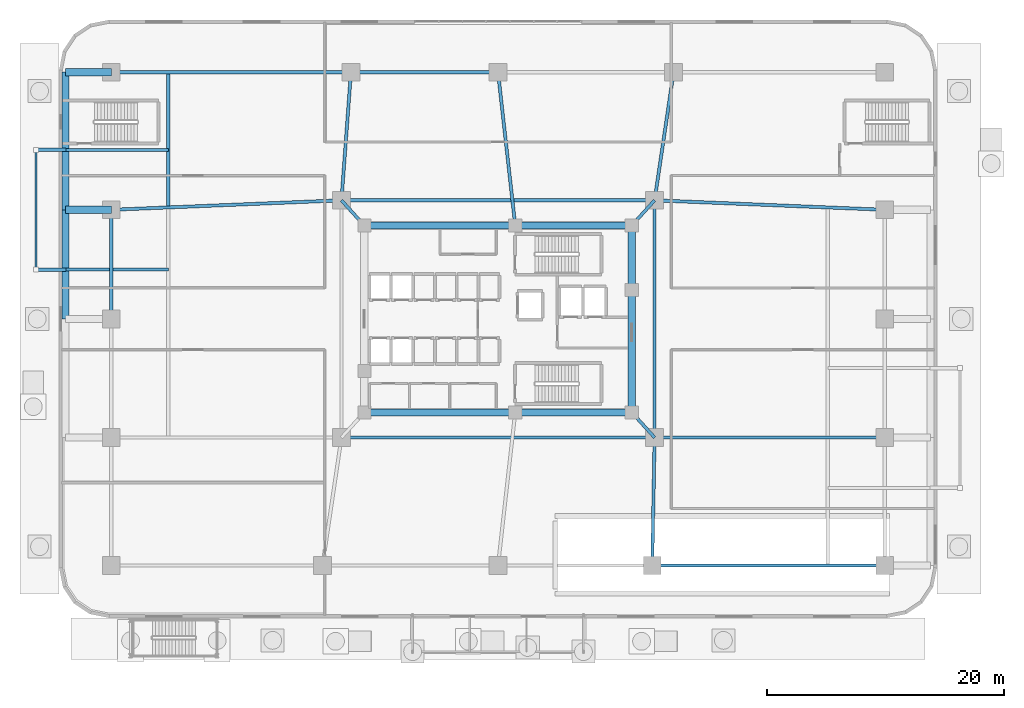
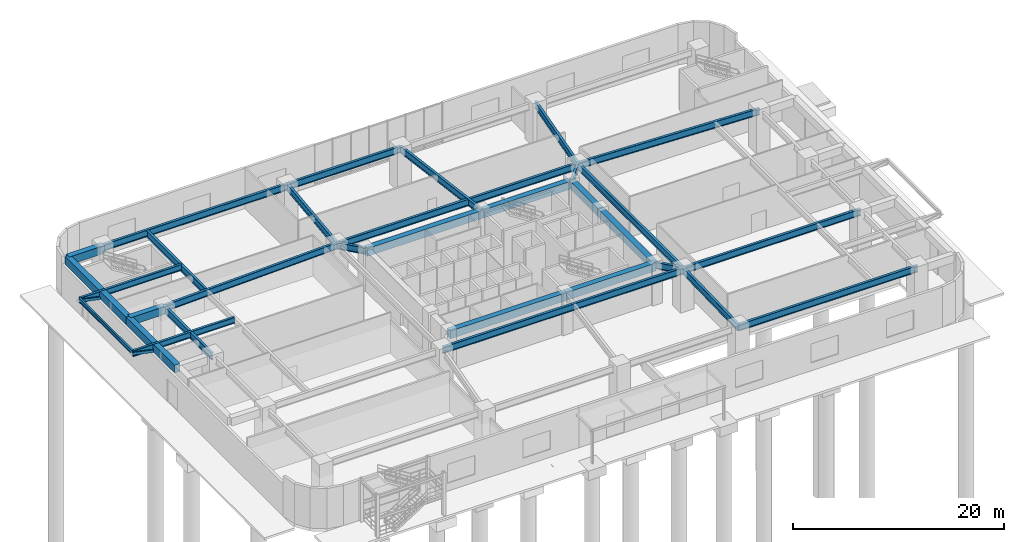
# One storey, part 7 of 18: 31 beams, 2 members.
"""IFC4 building model written with IfcOpenShell, lengths in metres."""

from ifc_helpers import new_model, si_unit, direction, frame, origin, origin_2d, place, context, subcontext, project, spatial, rectangle, hollow_rectangle, i_section, extrude, material, material_profile, profile_set, type_object, element, save


model = new_model("IFC4")

# Units and contexts
model_context = context("Model", 3, precision=1e-05, world=origin(), true_north=direction((0.0, 1.0)))
body_context = subcontext(model_context, "Body", "Model", "MODEL_VIEW")
ifc_project = project(units=[si_unit("LENGTHUNIT", "METRE"), si_unit("AREAUNIT", "SQUARE_METRE"), si_unit("VOLUMEUNIT", "CUBIC_METRE"), si_unit("PLANEANGLEUNIT", "RADIAN"), si_unit("MASSUNIT", "GRAM", prefix="KILO")], contexts=[model_context])

# Site, building, storey
site_placement = place(None, origin())
site = spatial("IfcSite", under=ifc_project, at=site_placement, CompositionType="ELEMENT")
building_placement = place(site_placement, origin())
building = spatial("IfcBuilding", under=site, at=building_placement, Name="Zulverin Broadcast Headquarters", CompositionType="ELEMENT")
storey_placement = place(building_placement, origin())
storey = spatial("IfcBuildingStorey", under=building, at=storey_placement, Name="L00", CompositionType="ELEMENT", Elevation=0.0)

# Beams
ifc_material_1 = material(Name="Concrete C60/75", Category="concrete")
ifc_material_profile_1 = material_profile(ifc_material_1, rectangle(XDim=0.60009765625, YDim=0.89990234375, at=origin_2d()), Name="Concrete C60/75", Category="concrete")
ifc_profile_set_1 = profile_set([ifc_material_profile_1], Name="Concrete C60/75")
beam_type_1 = type_object("IfcBeamType", Name="BM-CB-600x900", PredefinedType="LINTEL", material=ifc_profile_set_1)
beam_1_placement = place(storey_placement, frame((25.72509765625, 17.324951171875, 4.2099609375), z_axis=(1.0, 0.0, 0.0), x_axis=(0.0, 1.0, 0.0)))
element("IfcBeam", 1, at=beam_1_placement, inside=storey, type_object=beam_type_1, Name="L00 Core Coupling Girder K01-K02", PredefinedType="LINTEL", context=body_context, shape_type="SweptSolid", body=[
    extrude(rectangle(XDim=0.60009765625, YDim=0.89990234375, at=origin_2d()), origin(), (0.0, 0.0, 1.0), 12.724853515625),
])
beam_2_placement = place(storey_placement, frame((38.449951171875, 17.324951171875, 4.2099609375), z_axis=(1.0, 0.0, 0.0), x_axis=(0.0, 1.0, 0.0)))
element("IfcBeam", 2, at=beam_2_placement, inside=storey, type_object=beam_type_1, Name="L00 Core Coupling Girder K02-K03", PredefinedType="LINTEL", context=body_context, shape_type="SweptSolid", body=[
    extrude(rectangle(XDim=0.60009765625, YDim=0.89990234375, at=origin_2d()), origin(), (0.0, 0.0, 1.0), 9.824951171875),
])
beam_3_placement = place(storey_placement, frame((48.27490234375, 17.324951171875, 4.2099609375), z_axis=(0.0, 1.0, 0.0), x_axis=(-1.0, 0.0, 0.0)))
element("IfcBeam", 3, at=beam_3_placement, inside=storey, type_object=beam_type_1, Name="L00 Core Coupling Girder K03-K04", PredefinedType="LINTEL", context=body_context, shape_type="SweptSolid", body=[
    extrude(rectangle(XDim=0.60009765625, YDim=0.89990234375, at=origin_2d()), origin(), (0.0, 0.0, 1.0), 10.295166015625),
])
beam_4_placement = place(storey_placement, frame((48.27490234375, 27.6201171875, 4.2099609375), z_axis=(0.0, 1.0, 0.0), x_axis=(-1.0, 0.0, 0.0)))
element("IfcBeam", 4, at=beam_4_placement, inside=storey, type_object=beam_type_1, Name="L00 Core Coupling Girder K04-K05", PredefinedType="LINTEL", context=body_context, shape_type="SweptSolid", body=[
    extrude(rectangle(XDim=0.60009765625, YDim=0.89990234375, at=origin_2d()), origin(), (0.0, 0.0, 1.0), 5.454833984375),
])
beam_5_placement = place(storey_placement, frame((48.27490234375, 33.074951171875, 4.2099609375), z_axis=(-1.0, 0.0, 0.0), x_axis=(0.0, -1.0, 0.0)))
element("IfcBeam", 5, at=beam_5_placement, inside=storey, type_object=beam_type_1, Name="L00 Core Coupling Girder K05-K06", PredefinedType="LINTEL", context=body_context, shape_type="SweptSolid", body=[
    extrude(rectangle(XDim=0.60009765625, YDim=0.89990234375, at=origin_2d()), origin(), (0.0, 0.0, 1.0), 9.824951171875),
])
beam_6_placement = place(storey_placement, frame((38.449951171875, 33.074951171875, 4.2099609375), z_axis=(-1.0, 0.0, 0.0), x_axis=(0.0, -1.0, 0.0)))
element("IfcBeam", 6, at=beam_6_placement, inside=storey, type_object=beam_type_1, Name="L00 Core Coupling Girder K06-K07", PredefinedType="LINTEL", context=body_context, shape_type="SweptSolid", body=[
    extrude(rectangle(XDim=0.60009765625, YDim=0.89990234375, at=origin_2d()), origin(), (0.0, 0.0, 1.0), 12.724853515625),
])
ifc_material_2 = material(Name="Concrete C40/50", Category="concrete")
ifc_material_profile_2 = material_profile(ifc_material_2, rectangle(XDim=0.60009765625, YDim=0.89990234375, at=origin_2d()), Name="Concrete C40/50", Category="concrete")
ifc_profile_set_2 = profile_set([ifc_material_profile_2], Name="Concrete C40/50")
beam_type_2 = type_object("IfcBeamType", Name="BM-RC-600x900", PredefinedType="BEAM", material=ifc_profile_set_2)
for number, where, z_axis, x_axis, name in (
    (7, (4.39990234375, 34.39990234375, 4.2099609375), (-1.0, 0.0, 0.0), (0.0, -1.0, 0.0), "L00 West Perimeter Bracket Girder WBR-3"),
    (8, (4.39990234375, 46.0, 4.2099609375), (-1.0, 0.0, 0.0), (0.0, -1.0, 0.0), "L00 West Perimeter Bracket Girder WBR-4"),
):
    element("IfcBeam", number, at=place(storey_placement, frame(where, z_axis=z_axis, x_axis=x_axis)), inside=storey, type_object=beam_type_2, Name=name, PredefinedType="BEAM", context=body_context, shape_type="SweptSolid", body=[
        extrude(rectangle(XDim=0.60009765625, YDim=0.89990234375, at=origin_2d()), origin(), (0.0, 0.0, 1.0), 3.849853515625),
    ])
beam_7_placement = place(storey_placement, frame((0.550048828125, 25.199951171875, 4.2099609375), z_axis=(0.0, 1.0, 0.0), x_axis=(-1.0, 0.0, 0.0)))
element("IfcBeam", 9, at=beam_7_placement, inside=storey, type_object=beam_type_2, Name="L00 West Edge Spandrel Girder WEG-2", PredefinedType="BEAM", context=body_context, shape_type="SweptSolid", body=[
    extrude(rectangle(XDim=0.60009765625, YDim=0.89990234375, at=origin_2d()), origin(), (0.0, 0.0, 1.0), 9.199951171875),
])
beam_8_placement = place(storey_placement, frame((0.550048828125, 34.39990234375, 4.2099609375), z_axis=(0.0, 1.0, 0.0), x_axis=(-1.0, 0.0, 0.0)))
element("IfcBeam", 10, at=beam_8_placement, inside=storey, type_object=beam_type_2, Name="L00 West Edge Spandrel Girder WEG-3", PredefinedType="BEAM", context=body_context, shape_type="SweptSolid", body=[
    extrude(rectangle(XDim=0.60009765625, YDim=0.89990234375, at=origin_2d()), origin(), (0.0, 0.0, 1.0), 11.60009765625),
])
ifc_material_3 = material(Name="Structural steel S355JR", Category="steel")
ifc_material_profile_3 = material_profile(ifc_material_3, i_section(OverallWidth=0.19287109375, OverallDepth=0.46728515625, WebThickness=0.011474609375, FlangeThickness=0.01953125, at=origin_2d()), Name="Structural steel S355JR", Category="steel")
ifc_profile_set_3 = profile_set([ifc_material_profile_3], Name="Structural steel S355JR")
beam_type_3 = type_object("IfcBeamType", Name="BM-UB-457", PredefinedType="JOIST", material=ifc_profile_set_3)
beam_9_placement = place(storey_placement, frame((-1.949951171875, 29.35009765625, 4.426513671875), z_axis=(0.0, 1.0, 0.0), x_axis=(-1.0, 0.0, 0.0)))
element("IfcBeam", 11, at=beam_9_placement, inside=storey, type_object=beam_type_3, Name="L01 Studio Box Base Edge Beam SBOX_POD_LOWER_W1", PredefinedType="JOIST", context=body_context, shape_type="SweptSolid", body=[
    extrude(i_section(OverallWidth=0.19287109375, OverallDepth=0.46728515625, WebThickness=0.011474609375, FlangeThickness=0.01953125, at=origin_2d()), origin(), (0.0, 0.0, 1.0), 10.099853515625),
])
ifc_material_profile_4 = material_profile(ifc_material_3, i_section(OverallWidth=0.255859375, OverallDepth=0.69287109375, WebThickness=0.014404296875, FlangeThickness=0.023681640625, at=origin_2d()), Name="Structural steel S355JR", Category="steel")
ifc_profile_set_4 = profile_set([ifc_material_profile_4], Name="Structural steel S355JR")
beam_type_4 = type_object("IfcBeamType", Name="BM-UB-686", PredefinedType="BEAM", material=ifc_profile_set_4)
for number, where, z_axis, x_axis, name in (
    (12, (9.199951171875, 29.35009765625, 4.313720703125), (-1.0, 0.0, 0.0), (0.0, -1.0, 0.0), "L01 Studio Box Base Cantilever Girder SBOX_POD_LOWER_W1-1"),
    (13, (9.199951171875, 39.449951171875, 4.313720703125), (-1.0, 0.0, 0.0), (0.0, -1.0, 0.0), "L01 Studio Box Base Cantilever Girder SBOX_POD_LOWER_W1-2"),
):
    element("IfcBeam", number, at=place(storey_placement, frame(where, z_axis=z_axis, x_axis=x_axis)), inside=storey, type_object=beam_type_4, Name=name, PredefinedType="BEAM", context=body_context, shape_type="SweptSolid", body=[
        extrude(i_section(OverallWidth=0.255859375, OverallDepth=0.69287109375, WebThickness=0.014404296875, FlangeThickness=0.023681640625, at=origin_2d()), origin(), (0.0, 0.0, 1.0), 11.14990234375),
    ])
ifc_material_profile_5 = material_profile(ifc_material_3, i_section(OverallWidth=0.26806640625, OverallDepth=0.769775390625, WebThickness=0.015625, FlangeThickness=0.025390625, at=origin_2d()), Name="Structural steel S355JR", Category="steel")
ifc_profile_set_5 = profile_set([ifc_material_profile_5], Name="Structural steel S355JR")
beam_type_5 = type_object("IfcBeamType", Name="BM-UB-762", PredefinedType="BEAM", material=ifc_profile_set_5)
beam_10_placement = place(storey_placement, frame((50.0, 4.39990234375, 4.275146484375), z_axis=(1.0, 0.0, 0.0), x_axis=(0.0, 1.0, 0.0)))
element("IfcBeam", 14, at=beam_10_placement, inside=storey, type_object=beam_type_5, Name="L00 Podium Primary Girder P04-P05", PredefinedType="BEAM", context=body_context, shape_type="SweptSolid", body=[
    extrude(i_section(OverallWidth=0.26806640625, OverallDepth=0.769775390625, WebThickness=0.015625, FlangeThickness=0.025390625, at=origin_2d()), origin(), (0.0, 0.0, 1.0), 19.60009765625),
])
beam_11_placement = place(storey_placement, frame((37.0, 46.0, 4.275146484375), z_axis=(-1.0, 0.0, 0.0), x_axis=(0.0, -1.0, 0.0)))
element("IfcBeam", 15, at=beam_11_placement, inside=storey, type_object=beam_type_5, Name="L00 Podium Primary Girder P08-P07", PredefinedType="BEAM", context=body_context, shape_type="SweptSolid", body=[
    extrude(i_section(OverallWidth=0.26806640625, OverallDepth=0.769775390625, WebThickness=0.015625, FlangeThickness=0.025390625, at=origin_2d()), origin(), (0.0, 0.0, 1.0), 12.39990234375),
])
beam_12_placement = place(storey_placement, frame((24.60009765625, 46.0, 4.275146484375), z_axis=(-1.0, 0.0, 0.0), x_axis=(0.0, -1.0, 0.0)))
element("IfcBeam", 16, at=beam_12_placement, inside=storey, type_object=beam_type_5, Name="L00 Podium Primary Girder P07-P06", PredefinedType="BEAM", context=body_context, shape_type="SweptSolid", body=[
    extrude(i_section(OverallWidth=0.26806640625, OverallDepth=0.769775390625, WebThickness=0.015625, FlangeThickness=0.025390625, at=origin_2d()), origin(), (0.0, 0.0, 1.0), 20.2001953125),
])
beam_13_placement = place(storey_placement, frame((4.39990234375, 34.39990234375, 4.275146484375), z_axis=(0.0, -1.0, 0.0), x_axis=(1.0, 0.0, 0.0)))
element("IfcBeam", 17, at=beam_13_placement, inside=storey, type_object=beam_type_5, Name="L00 Podium Primary Girder P13-P12", PredefinedType="BEAM", context=body_context, shape_type="SweptSolid", body=[
    extrude(i_section(OverallWidth=0.26806640625, OverallDepth=0.769775390625, WebThickness=0.015625, FlangeThickness=0.025390625, at=origin_2d()), origin(), (0.0, 0.0, 1.0), 9.199951171875),
])
for number, where, z_axis, x_axis, name in (
    (18, (50.199951171875, 15.199951171875, 4.275146484375), (-0.671379160881, 0.741114041383, 0.0), (-0.741114041383, -0.671379160881, 0.0), "L00 Podium Primary Girder M02-K03"),
    (19, (50.199951171875, 35.199951171875, 4.275146484375), (-0.671379160881, -0.741114041383, 0.0), (0.741114041383, -0.671379160881, 0.0), "L00 Podium Primary Girder M03-K05"),
    (20, (23.800048828125, 35.199951171875, 4.275146484375), (0.671379160881, -0.741114041383, 0.0), (0.741114041383, 0.671379160881, 0.0), "L00 Podium Primary Girder M04-K07"),
):
    element("IfcBeam", number, at=place(storey_placement, frame(where, z_axis=z_axis, x_axis=x_axis)), inside=storey, type_object=beam_type_5, Name=name, PredefinedType="BEAM", context=body_context, shape_type="SweptSolid", body=[
        extrude(i_section(OverallWidth=0.26806640625, OverallDepth=0.769775390625, WebThickness=0.015625, FlangeThickness=0.025390625, at=origin_2d()), origin(), (0.0, 0.0, 1.0), 2.8671875),
    ])
beam_14_placement = place(storey_placement, frame((23.800048828125, 15.199951171875, 4.275146484375), z_axis=(1.0, 0.0, 0.0), x_axis=(0.0, 1.0, 0.0)))
element("IfcBeam", 21, at=beam_14_placement, inside=storey, type_object=beam_type_5, Name="L00 Podium Primary Girder M01-M02", PredefinedType="BEAM", context=body_context, shape_type="SweptSolid", body=[
    extrude(i_section(OverallWidth=0.26806640625, OverallDepth=0.769775390625, WebThickness=0.015625, FlangeThickness=0.025390625, at=origin_2d()), origin(), (0.0, 0.0, 1.0), 26.39990234375),
])
beam_15_placement = place(storey_placement, frame((50.199951171875, 15.199951171875, 4.275146484375), z_axis=(0.0, 1.0, 0.0), x_axis=(-1.0, 0.0, 0.0)))
element("IfcBeam", 22, at=beam_15_placement, inside=storey, type_object=beam_type_5, Name="L00 Podium Primary Girder M02-M03", PredefinedType="BEAM", context=body_context, shape_type="SweptSolid", body=[
    extrude(i_section(OverallWidth=0.26806640625, OverallDepth=0.769775390625, WebThickness=0.015625, FlangeThickness=0.025390625, at=origin_2d()), origin(), (0.0, 0.0, 1.0), 20.0),
])
beam_16_placement = place(storey_placement, frame((50.199951171875, 35.199951171875, 4.275146484375), z_axis=(-1.0, 0.0, 0.0), x_axis=(0.0, -1.0, 0.0)))
element("IfcBeam", 23, at=beam_16_placement, inside=storey, type_object=beam_type_5, Name="L00 Podium Primary Girder M03-M04", PredefinedType="BEAM", context=body_context, shape_type="SweptSolid", body=[
    extrude(i_section(OverallWidth=0.26806640625, OverallDepth=0.769775390625, WebThickness=0.015625, FlangeThickness=0.025390625, at=origin_2d()), origin(), (0.0, 0.0, 1.0), 26.39990234375),
])
beam_17_placement = place(storey_placement, frame((37.0, 46.0, 4.275146484375), z_axis=(0.111482194079, -0.993766431514, 0.0), x_axis=(0.993766431514, 0.111482194079, 0.0)))
element("IfcBeam", 24, at=beam_17_placement, inside=storey, type_object=beam_type_5, Name="L00 Podium Primary Girder P08-K06", PredefinedType="BEAM", context=body_context, shape_type="SweptSolid", body=[
    extrude(i_section(OverallWidth=0.26806640625, OverallDepth=0.769775390625, WebThickness=0.015625, FlangeThickness=0.025390625, at=origin_2d()), origin(), (0.0, 0.0, 1.0), 13.006103515625),
])
beam_18_placement = place(storey_placement, frame((50.0, 4.39990234375, 4.275146484375), z_axis=(0.018510741547, 0.999828661545, 0.0), x_axis=(-0.999828661545, 0.018510741547, 0.0)))
element("IfcBeam", 25, at=beam_18_placement, inside=storey, type_object=beam_type_5, Name="L00 Podium Primary Girder P04-M02", PredefinedType="BEAM", context=body_context, shape_type="SweptSolid", body=[
    extrude(i_section(OverallWidth=0.26806640625, OverallDepth=0.769775390625, WebThickness=0.015625, FlangeThickness=0.025390625, at=origin_2d()), origin(), (0.0, 0.0, 1.0), 10.802001953125),
])
beam_19_placement = place(storey_placement, frame((24.60009765625, 46.0, 4.275146484375), z_axis=(-0.0738758375, -0.997267446894, 0.0), x_axis=(0.997267446894, -0.0738758375, 0.0)))
element("IfcBeam", 26, at=beam_19_placement, inside=storey, type_object=beam_type_5, Name="L00 Podium Primary Girder P07-M04", PredefinedType="BEAM", context=body_context, shape_type="SweptSolid", body=[
    extrude(i_section(OverallWidth=0.26806640625, OverallDepth=0.769775390625, WebThickness=0.015625, FlangeThickness=0.025390625, at=origin_2d()), origin(), (0.0, 0.0, 1.0), 10.82958984375),
])
beam_20_placement = place(storey_placement, frame((51.800048828125, 46.0, 4.275146484375), z_axis=(-0.146556765224, -0.989202261707, 0.0), x_axis=(0.989202261707, -0.146556765224, 0.0)))
element("IfcBeam", 27, at=beam_20_placement, inside=storey, type_object=beam_type_5, Name="L00 Podium Primary Girder P09-M03", PredefinedType="BEAM", context=body_context, shape_type="SweptSolid", body=[
    extrude(i_section(OverallWidth=0.26806640625, OverallDepth=0.769775390625, WebThickness=0.015625, FlangeThickness=0.025390625, at=origin_2d()), origin(), (0.0, 0.0, 1.0), 10.91796875),
])
beam_21_placement = place(storey_placement, frame((4.39990234375, 34.39990234375, 4.275146484375), z_axis=(0.999150742371, 0.041204296122, 0.0), x_axis=(-0.041204296122, 0.999150742371, 0.0)))
element("IfcBeam", 28, at=beam_21_placement, inside=storey, type_object=beam_type_5, Name="L00 West Studio North Tie Girder", PredefinedType="BEAM", context=body_context, shape_type="SweptSolid", body=[
    extrude(i_section(OverallWidth=0.26806640625, OverallDepth=0.769775390625, WebThickness=0.015625, FlangeThickness=0.025390625, at=origin_2d()), origin(), (0.0, 0.0, 1.0), 19.416748046875),
])
beam_22_placement = place(storey_placement, frame((9.199951171875, 34.73193359375, 4.275146484375), z_axis=(0.0, 1.0, 0.0), x_axis=(-1.0, 0.0, 0.0)))
element("IfcBeam", 29, at=beam_22_placement, inside=storey, type_object=beam_type_5, Name="L00 West Back-Span Anchor Beam WSBA-2", PredefinedType="BEAM", context=body_context, shape_type="SweptSolid", body=[
    extrude(i_section(OverallWidth=0.26806640625, OverallDepth=0.769775390625, WebThickness=0.015625, FlangeThickness=0.025390625, at=origin_2d()), origin(), (0.0, 0.0, 1.0), 11.134033203125),
])
beam_23_placement = place(storey_placement, frame((50.199951171875, 15.199951171875, 4.275146484375), z_axis=(1.0, 0.0, 0.0), x_axis=(0.0, 1.0, 0.0)))
element("IfcBeam", 30, at=beam_23_placement, inside=storey, type_object=beam_type_5, Name="L00 East Studio South Tie Girder", PredefinedType="BEAM", context=body_context, shape_type="SweptSolid", body=[
    extrude(i_section(OverallWidth=0.26806640625, OverallDepth=0.769775390625, WebThickness=0.015625, FlangeThickness=0.025390625, at=origin_2d()), origin(), (0.0, 0.0, 1.0), 19.400146484375),
])
beam_24_placement = place(storey_placement, frame((50.199951171875, 35.199951171875, 4.275146484375), z_axis=(0.999150742371, -0.041204296122, 0.0), x_axis=(0.041204296122, 0.999150742371, 0.0)))
element("IfcBeam", 31, at=beam_24_placement, inside=storey, type_object=beam_type_5, Name="L00 East Studio North Tie Girder", PredefinedType="BEAM", context=body_context, shape_type="SweptSolid", body=[
    extrude(i_section(OverallWidth=0.26806640625, OverallDepth=0.769775390625, WebThickness=0.015625, FlangeThickness=0.025390625, at=origin_2d()), origin(), (0.0, 0.0, 1.0), 19.416748046875),
])

# Members
ifc_material_profile_6 = material_profile(ifc_material_3, hollow_rectangle(XDim=0.300048828125, YDim=0.300048828125, WallThickness=0.01611328125, at=origin_2d()), Name="Structural steel S355JR", Category="steel")
ifc_profile_set_6 = profile_set([ifc_material_profile_6], Name="Structural steel S355JR")
member_type = type_object("IfcMemberType", Name="MBR-BLT-DIAG1", PredefinedType="BRACE", material=ifc_profile_set_6)
for number, where, z_axis, x_axis, name in (
    (32, (0.550048828125, 29.35009765625, 3.81005859375), (-0.976640463768, 0.0, 0.214879977038), (0.0, -1.0, 0.0), "L01 Studio Box Base Knee Brace SBOX_POD_LOWER_W1-1"),
    (33, (0.550048828125, 39.449951171875, 3.81005859375), (-0.976640463768, 0.0, 0.214879977038), (0.0, -1.0, 0.0), "L01 Studio Box Base Knee Brace SBOX_POD_LOWER_W1-2"),
):
    element("IfcMember", number, at=place(storey_placement, frame(where, z_axis=z_axis, x_axis=x_axis)), inside=storey, type_object=member_type, Name=name, PredefinedType="BRACE", context=body_context, shape_type="SweptSolid", body=[
        extrude(hollow_rectangle(XDim=0.300048828125, YDim=0.300048828125, WallThickness=0.01611328125, at=origin_2d()), origin(), (0.0, 0.0, 1.0), 2.559814453125),
    ])

save(model, "model.ifc")
